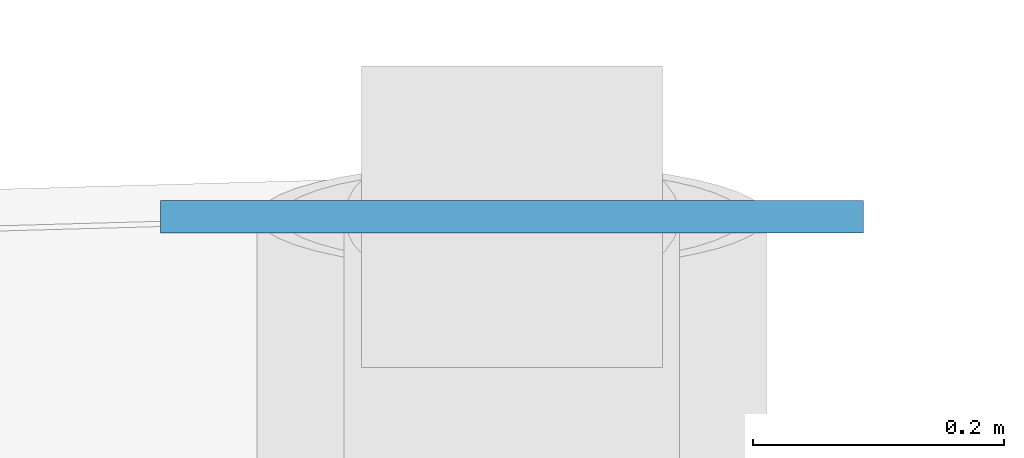
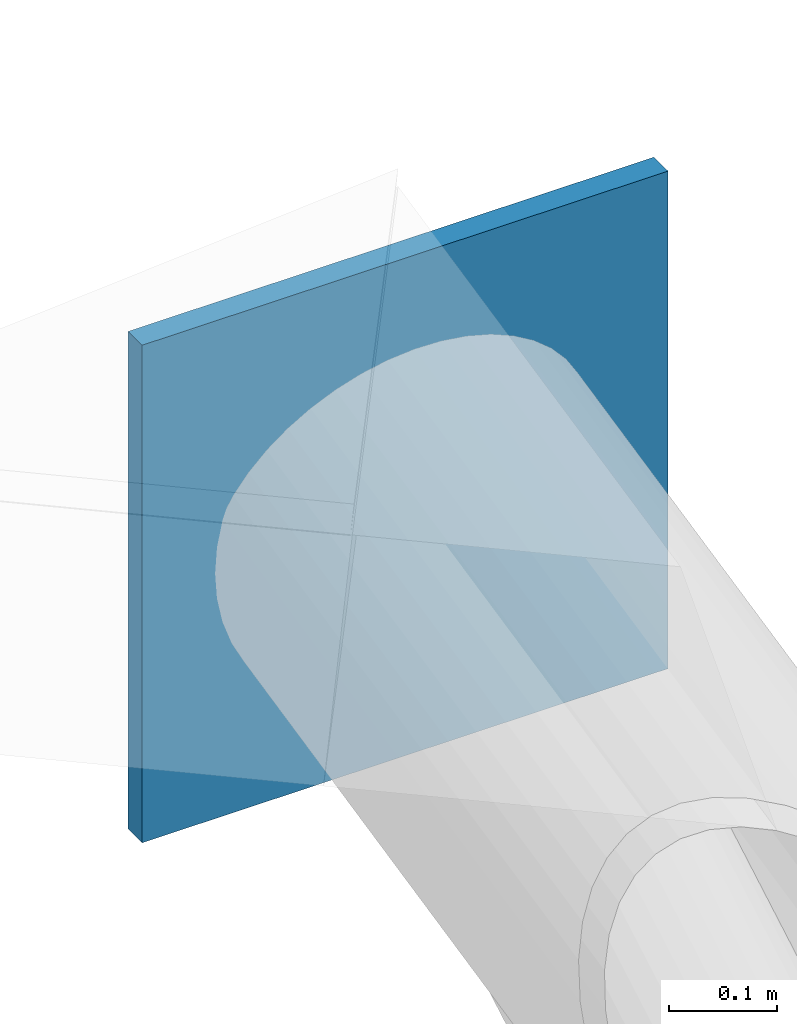
# One storey, part 49 of 78: 1 plate.
"""IFC4 building model written with IfcOpenShell, lengths in metres."""

from ifc_helpers import new_model, si_unit, direction, frame, origin, origin_2d, place, context, subcontext, project, spatial, rectangle, extrude, material, layer, layer_set, type_object, element, save


model = new_model("IFC4")

# Units and contexts
model_context = context("Model", 3, precision=1e-05, world=origin(), true_north=direction((0.0, 1.0)))
body_context = subcontext(model_context, "Body", "Model", "MODEL_VIEW")
ifc_project = project(units=[si_unit("LENGTHUNIT", "METRE"), si_unit("AREAUNIT", "SQUARE_METRE"), si_unit("VOLUMEUNIT", "CUBIC_METRE"), si_unit("PLANEANGLEUNIT", "RADIAN"), si_unit("MASSUNIT", "GRAM", prefix="KILO")], contexts=[model_context])

# Site, building, storey
site_placement = place(None, origin())
site = spatial("IfcSite", under=ifc_project, at=site_placement, CompositionType="ELEMENT")
building_placement = place(site_placement, origin())
building = spatial("IfcBuilding", under=site, at=building_placement, Name="Haebicheon Civic Stadium", CompositionType="ELEMENT")
storey_placement = place(building_placement, frame((0.0, 0.0, 18.60009765625)))
storey = spatial("IfcBuildingStorey", under=building, at=storey_placement, Name="L05", CompositionType="ELEMENT", Elevation=18.60009765625)

# Plate
ifc_material = material(Name="White painted steel SM490", Category="steel")
ifc_layer = layer(ifc_material, 0.02587890625, Name="White painted steel SM490")
ifc_layer_set = layer_set([ifc_layer], Name="White painted steel SM490")
plate_type = type_object("IfcPlateType", Name="PLT-CAP-26", PredefinedType="SHEET", material=ifc_layer_set)
plate_placement = place(storey_placement, frame((128.0, 43.199951171875, 6.434814453125), z_axis=(0.0, 0.0, 1.0), x_axis=(-1.0, 0.0, 0.0)))
element("IfcPlate", 1, at=plate_placement, inside=storey, type_object=plate_type, material=ifc_layer_set, Name="CAN-SOUTH tip end-cap plate 7", PredefinedType="SHEET", context=body_context, shape_type="SweptSolid", body=[
    extrude(rectangle(XDim=0.56005859375, YDim=0.02587890625, at=origin_2d()), origin(), (0.0, 0.0, 1.0), 0.56005859375),
])

save(model, "model.ifc")
